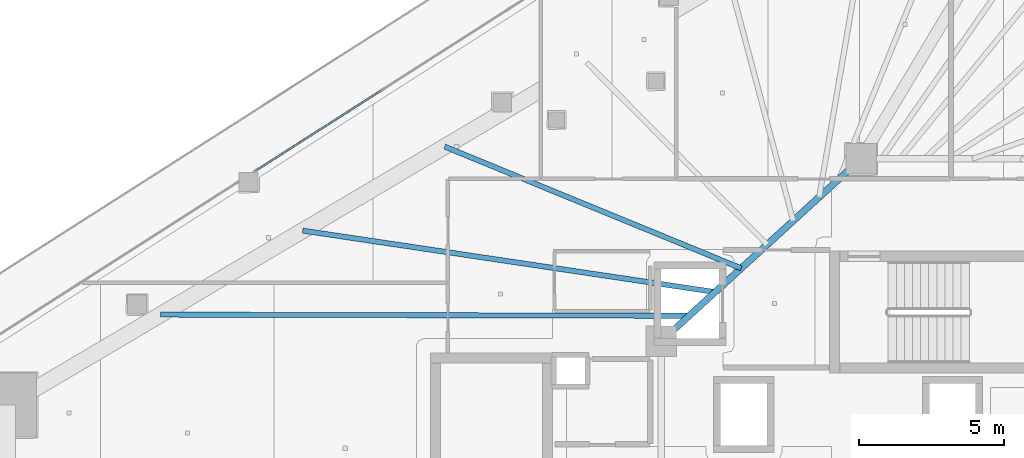
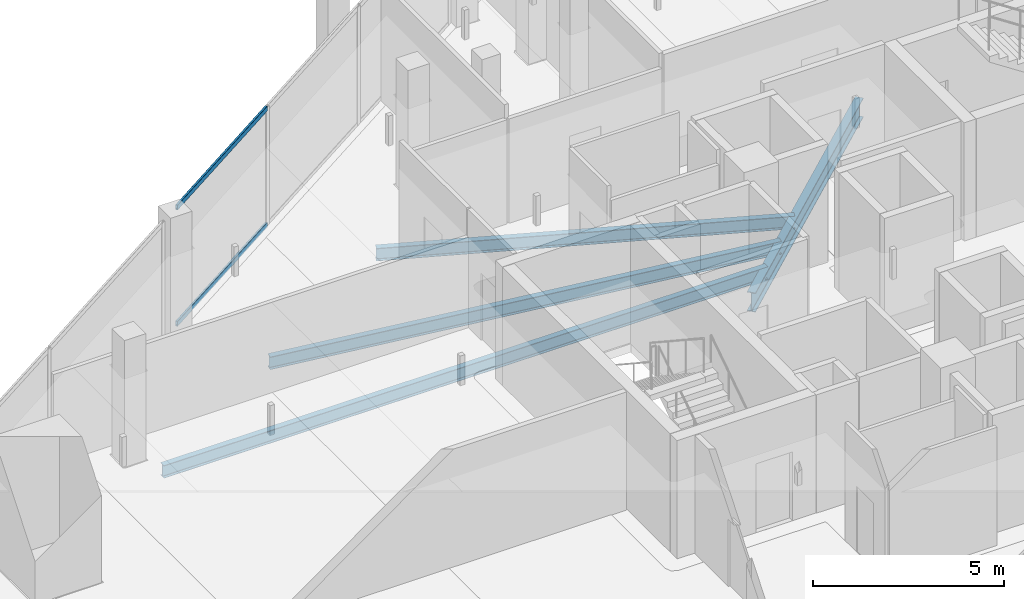
# One storey, part 14 of 35: 4 beams, 2 members, 1 element without a shape of its own.
"""IFC4 building model written with IfcOpenShell, lengths in metres."""

from ifc_helpers import new_model, si_unit, direction, frame, origin, origin_2d, place, context, subcontext, project, spatial, hollow_rectangle, i_section, extrude, material, layer, layer_set, material_profile, profile_set, type_object, element, aggregate, save


model = new_model("IFC4")

# Units and contexts
model_context = context("Model", 3, precision=1e-05, world=origin(), true_north=direction((0.0, 1.0)))
body_context = subcontext(model_context, "Body", "Model", "MODEL_VIEW")
ifc_project = project(units=[si_unit("LENGTHUNIT", "METRE"), si_unit("AREAUNIT", "SQUARE_METRE"), si_unit("VOLUMEUNIT", "CUBIC_METRE"), si_unit("PLANEANGLEUNIT", "RADIAN"), si_unit("MASSUNIT", "GRAM", prefix="KILO")], contexts=[model_context])

# Site, building, storey
site_placement = place(None, origin())
site = spatial("IfcSite", under=ifc_project, at=site_placement, CompositionType="ELEMENT")
building_placement = place(site_placement, origin())
building = spatial("IfcBuilding", under=site, at=building_placement, Name="Qorvath Tower", CompositionType="ELEMENT")
storey_placement = place(building_placement, frame((0.0, 0.0, 166.5)))
storey = spatial("IfcBuildingStorey", under=building, at=storey_placement, Name="L38", CompositionType="ELEMENT", Elevation=166.5)

# Beams
ifc_material_1 = material(Name="Steel ASTM A992 Grade 50", Category="steel")
ifc_material_profile_1 = material_profile(ifc_material_1, i_section(OverallWidth=0.22998046875, OverallDepth=0.616943359375, WebThickness=0.01318359375, FlangeThickness=0.022216796875, FilletRadius=0.014892578125, at=origin_2d()), Name="W24x94")
ifc_profile_set_1 = profile_set([ifc_material_profile_1], Name="Steel ASTM A992 Grade 50")
beam_type_1 = type_object("IfcBeamType", Name="BM-FG6", PredefinedType="BEAM", material=ifc_profile_set_1)
beam_1_placement = place(storey_placement, frame((-30.5, 5.14990234375, -0.57861328125), z_axis=(0.73847813985, 0.6742774184, 0.0), x_axis=(-0.6742774184, 0.73847813985, 0.0)))
element("IfcBeam", 1, at=beam_1_placement, inside=storey, type_object=beam_type_1, Name="Core Ring Girder CC5-CC1 L38", PredefinedType="BEAM", context=body_context, shape_type="SweptSolid", body=[
    extrude(i_section(OverallWidth=0.22998046875, OverallDepth=0.616943359375, WebThickness=0.01318359375, FlangeThickness=0.022216796875, FilletRadius=0.014892578125, at=origin_2d()), origin(), (0.0, 0.0, 1.0), 9.343505859375),
])
ifc_material_2 = material(Name="Steel ASTM A992 Grade 50", Category="steel")
ifc_material_profile_2 = material_profile(ifc_material_2, i_section(OverallWidth=0.177978515625, OverallDepth=0.406005859375, WebThickness=0.0078125, FlangeThickness=0.0126953125, FilletRadius=0.010986328125, at=origin_2d()), Name="W16x40")
ifc_profile_set_2 = profile_set([ifc_material_profile_2], Name="Steel ASTM A992 Grade 50")
beam_type_2 = type_object("IfcBeamType", Name="BM-FJ3", PredefinedType="JOIST", material=ifc_profile_set_2)
beam_2_placement = place(storey_placement, frame((-29.533935546875, 6.031982421875, -0.472900390625), z_axis=(-0.999997589883, 0.002195501951, 0.0), x_axis=(-0.002195501951, -0.999997589883, 0.0)))
element("IfcBeam", 2, at=beam_2_placement, inside=storey, type_object=beam_type_2, Name="Composite Floor Joist NW1 L38", PredefinedType="JOIST", context=body_context, shape_type="SweptSolid", body=[
    extrude(i_section(OverallWidth=0.177978515625, OverallDepth=0.406005859375, WebThickness=0.0078125, FlangeThickness=0.0126953125, FilletRadius=0.010986328125, at=origin_2d()), origin(), (0.0, 0.0, 1.0), 18.23681640625),
])
beam_3_placement = place(storey_placement, frame((-28.636962890625, 6.85107421875, -0.472900390625), z_axis=(-0.989092860328, 0.147293291256, 0.0), x_axis=(-0.147293291256, -0.989092860328, 0.0)))
element("IfcBeam", 3, at=beam_3_placement, inside=storey, type_object=beam_type_2, Name="Composite Floor Joist NW2 L38", PredefinedType="JOIST", context=body_context, shape_type="SweptSolid", body=[
    extrude(i_section(OverallWidth=0.177978515625, OverallDepth=0.406005859375, WebThickness=0.0078125, FlangeThickness=0.0126953125, FilletRadius=0.010986328125, at=origin_2d()), origin(), (0.0, 0.0, 1.0), 14.388916015625),
])
beam_4_placement = place(storey_placement, frame((-27.739990234375, 7.669921875, -0.472900390625), z_axis=(-0.925068176006, 0.379801092338, 0.0), x_axis=(-0.379801092338, -0.925068176006, 0.0)))
element("IfcBeam", 4, at=beam_4_placement, inside=storey, type_object=beam_type_2, Name="Composite Floor Joist NW3 L38", PredefinedType="JOIST", context=body_context, shape_type="SweptSolid", body=[
    extrude(i_section(OverallWidth=0.177978515625, OverallDepth=0.406005859375, WebThickness=0.0078125, FlangeThickness=0.0126953125, FilletRadius=0.010986328125, at=origin_2d()), origin(), (0.0, 0.0, 1.0), 11.0556640625),
])

# Curtain wall, members
ifc_material_3 = material(Name="Anodised aluminium and triple low-E glass", Category="aluminium")
ifc_layer = layer(ifc_material_3, 0.179931640625)
ifc_layer_set = layer_set([ifc_layer], Name="CW-SYS-3")
curtain_wall_type = type_object("IfcCurtainWallType", Name="CW-SYS-3", PredefinedType="NOTDEFINED", material=ifc_layer_set)
curtain_wall_placement = place(storey_placement, origin())
curtain_wall = element("IfcCurtainWall", 5, at=curtain_wall_placement, inside=storey, type_object=curtain_wall_type, Name="Curtain Wall CW-3 CW-T-L38-16.2", PredefinedType="NOTDEFINED")
ifc_material_4 = material(Name="Anodised aluminium 6063-T6", Category="aluminium")
ifc_material_profile_3 = material_profile(ifc_material_4, hollow_rectangle(XDim=0.06494140625, YDim=0.159912109375, WallThickness=0.00341796875, InnerFilletRadius=0.00341796875, OuterFilletRadius=0.007080078125, at=origin_2d()), Name="CWT 160x65")
ifc_profile_set_3 = profile_set([ifc_material_profile_3], Name="Anodised aluminium 6063-T6")
member_type = type_object("IfcMemberType", Name="CWT-160", PredefinedType="USERDEFINED", material=ifc_profile_set_3)
member_1_placement = place(storey_placement, frame((-40.16650390625, 13.802001953125, 0.032470703125), z_axis=(-0.842588786004, -0.53855745998, 0.0), x_axis=(0.53855745998, -0.842588786004, 0.0)))
member_1 = element("IfcMember", 6, at=member_1_placement, type_object=member_type, Name="CW-3 transom 3.1", ObjectType="TRANSOM", PredefinedType="USERDEFINED", context=body_context, shape_type="SweptSolid", body=[
    extrude(hollow_rectangle(XDim=0.06494140625, YDim=0.159912109375, WallThickness=0.00341796875, InnerFilletRadius=0.00341796875, OuterFilletRadius=0.007080078125, at=origin_2d()), origin(), (0.0, 0.0, 1.0), 5.0966796875),
])
member_2_placement = place(storey_placement, frame((-40.16650390625, 13.802001953125, 3.74755859375), z_axis=(-0.842588786004, -0.53855745998, 0.0), x_axis=(0.53855745998, -0.842588786004, 0.0)))
member_2 = element("IfcMember", 7, at=member_2_placement, type_object=member_type, Name="CW-3 transom 3.2", ObjectType="TRANSOM", PredefinedType="USERDEFINED", context=body_context, shape_type="SweptSolid", body=[
    extrude(hollow_rectangle(XDim=0.06494140625, YDim=0.159912109375, WallThickness=0.00341796875, InnerFilletRadius=0.00341796875, OuterFilletRadius=0.007080078125, at=origin_2d()), origin(), (0.0, 0.0, 1.0), 5.0966796875),
])
aggregate(curtain_wall, [member_1, member_2])

save(model, "model.ifc")
